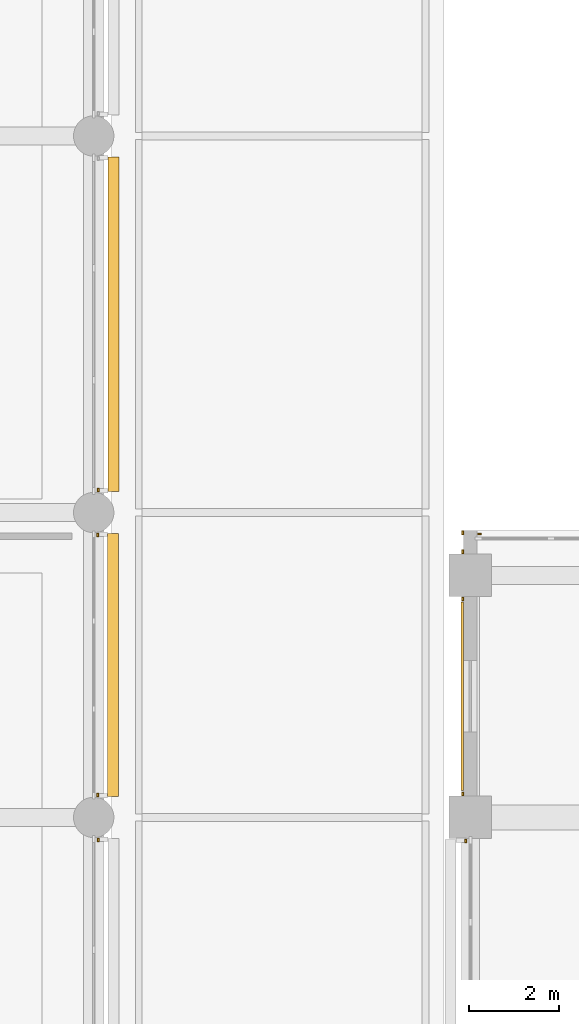
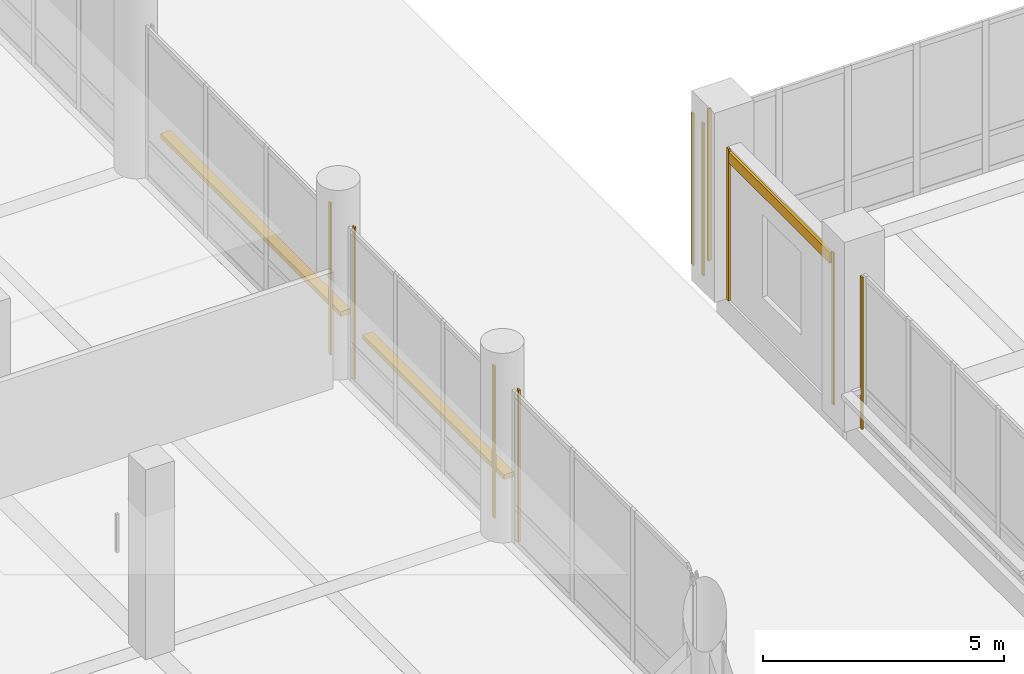
# One storey, part 102 of 128: 11 coverings, 2 shading devices.
"""IFC4 building model written with IfcOpenShell, lengths in metres."""

from ifc_helpers import new_model, si_unit, direction, frame, origin, origin_2d, place, context, subcontext, project, spatial, rectangle, extrude, material, layer, layer_set, type_object, element, save


model = new_model("IFC4")

# Units and contexts
model_context = context("Model", 3, precision=1e-05, world=origin(), true_north=direction((0.0, 1.0)))
body_context = subcontext(model_context, "Body", "Model", "MODEL_VIEW")
ifc_project = project(units=[si_unit("LENGTHUNIT", "METRE"), si_unit("AREAUNIT", "SQUARE_METRE"), si_unit("VOLUMEUNIT", "CUBIC_METRE"), si_unit("PLANEANGLEUNIT", "RADIAN"), si_unit("MASSUNIT", "GRAM", prefix="KILO")], contexts=[model_context])

# Site, building, storey
site_placement = place(None, origin())
site = spatial("IfcSite", under=ifc_project, at=site_placement, CompositionType="ELEMENT")
building_placement = place(site_placement, origin())
building = spatial("IfcBuilding", under=site, at=building_placement, Name="Telukmera Botanical Conservatory", CompositionType="ELEMENT")
storey_placement = place(building_placement, frame((0.0, 0.0, 5.39990234375)))
storey = spatial("IfcBuildingStorey", under=building, at=storey_placement, Name="L01", CompositionType="ELEMENT", Elevation=5.39990234375)

# Coverings
ifc_material_1 = material(Name="Granite-faced precast concrete C40/50", Category="masonry")
ifc_layer_1 = layer(ifc_material_1, 0.0400390625)
ifc_layer_set_1 = layer_set([ifc_layer_1], Name="Granite-faced precast concrete C40/50")
covering_type_1 = type_object("IfcCoveringType", Name="Granite Precast Column Pier Reveal Casing", PredefinedType="CLADDING", material=ifc_layer_set_1)
for number, where, z_axis, x_axis, name in (
    (1, (42.10009765625, 42.298095703125, 0.0), (0.0, 0.0, 1.0), (0.0, 1.0, 0.0), "Granite Pier Reveal V3:L01:E3 R"),
    (2, (42.090087890625, 43.302001953125, 0.0), (0.0, 0.0, 1.0), (0.0, 1.0, 0.0), "Granite Pier Reveal V3:L01:E4 L"),
    (3, (42.090087890625, 49.097900390625, 0.0), (0.0, 0.0, 1.0), (0.0, 1.0, 0.0), "Granite Pier Reveal V3:L01:E4 R"),
    (4, (42.10009765625, 50.10205078125, 0.0), (0.0, 0.0, 1.0), (0.0, 1.0, 0.0), "Granite Pier Reveal V3:L01:E5 L"),
    (5, (50.22998046875, 48.72705078125, 0.0), (0.0, 0.0, 1.0), (0.0, 1.0, 0.0), "Granite Pier Reveal V4:L01:NWC L"),
    (6, (50.22998046875, 49.14990234375, 0.0), (0.0, 0.0, 1.0), (0.0, 1.0, 0.0), "Granite Pier Reveal V4:L01:NWC R"),
    (7, (50.60205078125, 49.1201171875, 0.0), (0.0, 0.0, 1.0), (1.0, 0.0, 0.0), "Granite Pier Reveal V4:L01:N1 L"),
    (8, (50.300048828125, 42.27294921875, 0.0), (0.0, 0.0, 1.0), (0.0, 1.0, 0.0), "Granite Pier Reveal V4:L01:W4 R"),
    (9, (50.22998046875, 43.326904296875, 0.0), (0.0, 0.0, 1.0), (0.0, 1.0, 0.0), "Granite Pier Reveal V4:L01:W5 L"),
    (10, (50.22998046875, 47.673095703125, 0.0), (0.0, 0.0, 1.0), (0.0, 1.0, 0.0), "Granite Pier Reveal V4:L01:W5 R"),
):
    element("IfcCovering", number, at=place(storey_placement, frame(where, z_axis=z_axis, x_axis=x_axis)), inside=storey, type_object=covering_type_1, Name=name, PredefinedType="CLADDING", context=body_context, shape_type="SweptSolid", body=[
        extrude(rectangle(XDim=0.080078125, YDim=0.0400390625, at=origin_2d()), origin(), (0.0, 0.0, 1.0), 3.85009765625),
    ])

# Shading devices
ifc_material_2 = material(Name="Perforated terracotta-anodised aluminium 6063-T6", Category="masonry")
ifc_layer_2 = layer(ifc_material_2, 0.044921875)
ifc_layer_set_2 = layer_set([ifc_layer_2], Name="Perforated terracotta-anodised aluminium 6063-T6")
shading_device_type = type_object("IfcShadingDeviceType", Name="Perforated Terracotta Aluminium Monsoon Brise Soleil", PredefinedType="JALOUSIE", material=ifc_layer_set_2)
shading_device_1_placement = place(storey_placement, frame((42.429931640625, 46.199951171875, 0.89013671875), z_axis=(0.0, 0.0, 1.0), x_axis=(0.0, 1.0, 0.0)))
element("IfcShadingDevice", 11, at=shading_device_1_placement, inside=storey, type_object=shading_device_type, Name="Monsoon Shading BS01 V3:L01:E4", PredefinedType="JALOUSIE", context=body_context, shape_type="SweptSolid", body=[
    extrude(rectangle(XDim=5.85595703125, YDim=0.239990234375, at=origin_2d()), origin(), (0.0, 0.0, 1.0), 0.1201171875),
])
shading_device_2_placement = place(storey_placement, frame((42.43994140625, 53.800048828125, 0.89013671875), z_axis=(0.0, 0.0, 1.0), x_axis=(0.0, 1.0, 0.0)))
element("IfcShadingDevice", 12, at=shading_device_2_placement, inside=storey, type_object=shading_device_type, Name="Monsoon Shading BS01 V3:L01:E5", PredefinedType="JALOUSIE", context=body_context, shape_type="SweptSolid", body=[
    extrude(rectangle(XDim=7.4560546875, YDim=0.239990234375, at=origin_2d()), origin(), (0.0, 0.0, 1.0), 0.1201171875),
])

# Covering
ifc_material_3 = material(Name="Terracotta-faced precast concrete C40/50", Category="masonry")
ifc_layer_3 = layer(ifc_material_3, 0.06005859375)
ifc_layer_set_3 = layer_set([ifc_layer_3], Name="Terracotta-faced precast concrete C40/50")
covering_type_2 = type_object("IfcCoveringType", Name="Polychrome Terracotta Facade Band Cladding", PredefinedType="CLADDING", material=ifc_layer_set_3)
covering_placement = place(storey_placement, frame((50.219970703125, 45.5, 3.5302734375), z_axis=(0.0, 0.0, 1.0), x_axis=(0.0, 1.0, 0.0)))
element("IfcCovering", 13, at=covering_placement, inside=storey, type_object=covering_type_2, Name="Polychrome Terracotta Band V4:L01:W5", PredefinedType="CLADDING", context=body_context, shape_type="SweptSolid", body=[
    extrude(rectangle(XDim=4.2060546875, YDim=0.06005859375, at=origin_2d()), origin(), (0.0, 0.0, 1.0), 0.280029296875),
])

save(model, "model.ifc")
